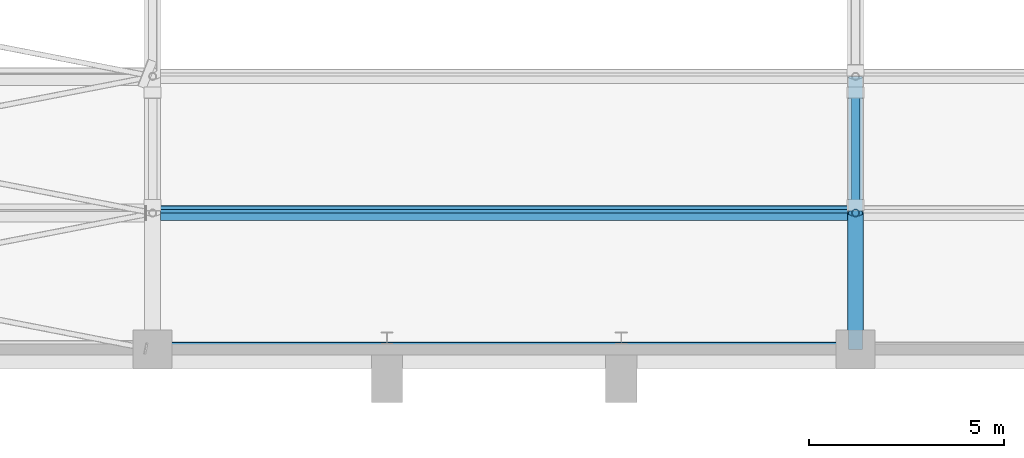
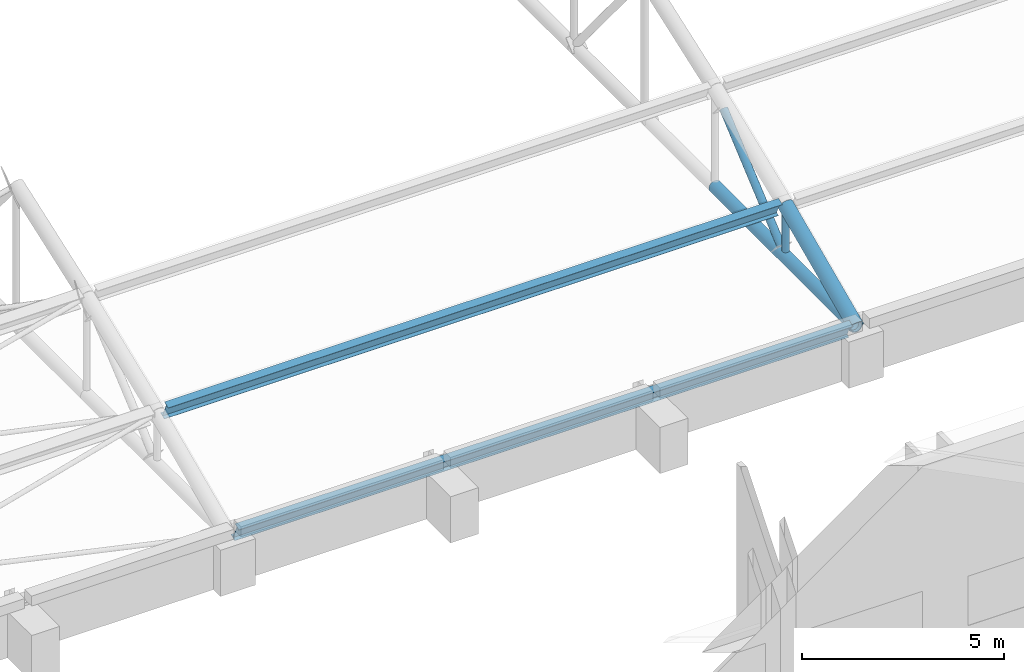
# One storey, part 29 of 196: 6 members.
"""IFC4 building model written with IfcOpenShell, lengths in metres."""

from ifc_helpers import new_model, si_unit, direction, frame, origin, origin_2d, place, context, subcontext, project, spatial, hollow_circle, i_section, extrude, material, material_profile, profile_set, type_object, element, save


model = new_model("IFC4")

# Units and contexts
model_context = context("Model", 3, precision=1e-05, world=origin(), true_north=direction((0.0, 1.0)))
body_context = subcontext(model_context, "Body", "Model", "MODEL_VIEW")
ifc_project = project(units=[si_unit("LENGTHUNIT", "METRE"), si_unit("AREAUNIT", "SQUARE_METRE"), si_unit("VOLUMEUNIT", "CUBIC_METRE"), si_unit("PLANEANGLEUNIT", "RADIAN"), si_unit("MASSUNIT", "GRAM", prefix="KILO")], contexts=[model_context])

# Site, building, storey
site_placement = place(None, origin())
site = spatial("IfcSite", under=ifc_project, at=site_placement, CompositionType="ELEMENT")
building_placement = place(site_placement, origin())
building = spatial("IfcBuilding", under=site, at=building_placement, Name="Okhra Congress Centre", CompositionType="ELEMENT")
storey_placement = place(building_placement, frame((0.0, 0.0, 12.0)))
storey = spatial("IfcBuildingStorey", under=building, at=storey_placement, Name="L02", CompositionType="ELEMENT", Elevation=12.0)

# Members
ifc_material_1 = material(Name="Steel S355J2H", Category="steel")
ifc_material_profile_1 = material_profile(ifc_material_1, hollow_circle(Radius=0.096923828125, WallThickness=0.012451171875, at=origin_2d()), Name="CHS 193.7x12.5")
ifc_profile_set_1 = profile_set([ifc_material_profile_1], Name="Steel S355J2H")
member_type_1 = type_object("IfcMemberType", Name="CHS 193.7x12.5", PredefinedType="POST", material=ifc_profile_set_1)
member_1_placement = place(storey_placement, frame((64.0, 135.5, 1.577880859375), z_axis=(0.0, 0.0, 1.0), x_axis=(1.0, 0.0, 0.0)))
element("IfcMember", 1, at=member_1_placement, inside=storey, type_object=member_type_1, Name="EH.MEM.L02.T3-VER-01", PredefinedType="POST", context=body_context, shape_type="SweptSolid", body=[
    extrude(hollow_circle(Radius=0.096923828125, WallThickness=0.012451171875, at=origin_2d()), origin(), (0.0, 0.0, 1.0), 1.168212890625),
])
ifc_material_profile_2 = material_profile(ifc_material_1, hollow_circle(Radius=0.109619140625, WallThickness=0.012451171875, at=origin_2d()), Name="CHS 219.1x12.5")
ifc_profile_set_2 = profile_set([ifc_material_profile_2], Name="Steel S355J2H")
member_type_2 = type_object("IfcMemberType", Name="CHS 219.1x12.5", PredefinedType="BRACE", material=ifc_profile_set_2)
member_2_placement = place(storey_placement, frame((64.0, 138.57421875, 4.01220703125), z_axis=(0.0, -0.76205947483, -0.647507032257), x_axis=(1.0, 0.0, 0.0)))
element("IfcMember", 2, at=member_2_placement, inside=storey, type_object=member_type_2, Name="EH.MEM.L02.T3-DIA-01", PredefinedType="BRACE", context=body_context, shape_type="SweptSolid", body=[
    extrude(hollow_circle(Radius=0.109619140625, WallThickness=0.012451171875, at=origin_2d()), origin(), (0.0, 0.0, 1.0), 3.759521484375),
])
ifc_material_profile_3 = material_profile(ifc_material_1, hollow_circle(Radius=0.177734375, WallThickness=0.02490234375, at=origin_2d()), Name="CHS 355.6x25.0")
ifc_profile_set_3 = profile_set([ifc_material_profile_3], Name="Steel S355J2H")
member_type_3 = type_object("IfcMemberType", Name="CHS 355.6x25.0", PredefinedType="CHORD", material=ifc_profile_set_3)
member_3_placement = place(storey_placement, frame((64.0, 132.0, 1.39990234375), z_axis=(0.0, 1.0, 0.0), x_axis=(-1.0, 0.0, 0.0)))
element("IfcMember", 3, at=member_3_placement, inside=storey, type_object=member_type_3, Name="EH.MEM.L02.T3-BOT-01", PredefinedType="CHORD", context=body_context, shape_type="SweptSolid", body=[
    extrude(hollow_circle(Radius=0.177734375, WallThickness=0.02490234375, at=origin_2d()), origin(), (0.0, 0.0, 1.0), 7.0),
])
ifc_material_profile_4 = material_profile(ifc_material_1, hollow_circle(Radius=0.203125, WallThickness=0.02490234375, at=origin_2d()), Name="CHS 406.4x25.0")
ifc_profile_set_4 = profile_set([ifc_material_profile_4], Name="Steel S355J2H")
member_type_4 = type_object("IfcMemberType", Name="CHS 406.4x25.0", PredefinedType="CHORD", material=ifc_profile_set_4)
member_4_placement = place(storey_placement, frame((64.0, 132.0, 1.39990234375), z_axis=(0.0, 0.912710800597, 0.408606160591), x_axis=(-1.0, 0.0, 0.0)))
element("IfcMember", 4, at=member_4_placement, inside=storey, type_object=member_type_4, Name="EH.MEM.L02.T3-TOP-01", PredefinedType="CHORD", context=body_context, shape_type="SweptSolid", body=[
    extrude(hollow_circle(Radius=0.203125, WallThickness=0.02490234375, at=origin_2d()), origin(), (0.0, 0.0, 1.0), 3.834716796875),
])
ifc_material_2 = material(Name="Steel S355J2", Category="steel")
ifc_material_profile_5 = material_profile(ifc_material_2, i_section(OverallWidth=0.199951171875, OverallDepth=0.5, WebThickness=0.01025390625, FlangeThickness=0.01611328125, at=origin_2d()), Name="IPE 500")
ifc_profile_set_5 = profile_set([ifc_material_profile_5], Name="Steel S355J2")
member_type_5 = type_object("IfcMemberType", Name="IPE 500", PredefinedType="PURLIN", material=ifc_profile_set_5)
for number, where, z_axis, x_axis, name in (
    (5, (46.203125, 132.0, 1.39990234375), (1.0, 0.0, 0.0), (0.0, 0.912721046606, 0.40858327313), "EH.MEM.L02.PU2-01"),
    (6, (46.203125, 135.5, 2.966796875), (1.0, 0.0, 0.0), (0.0, 0.920437204489, 0.390890461118), "EH.MEM.L02.PU2-02"),
):
    element("IfcMember", number, at=place(storey_placement, frame(where, z_axis=z_axis, x_axis=x_axis)), inside=storey, type_object=member_type_5, Name=name, PredefinedType="PURLIN", context=body_context, shape_type="SweptSolid", body=[
        extrude(i_section(OverallWidth=0.199951171875, OverallDepth=0.5, WebThickness=0.01025390625, FlangeThickness=0.01611328125, at=origin_2d()), origin(), (0.0, 0.0, 1.0), 17.59375),
    ])

save(model, "model.ifc")
